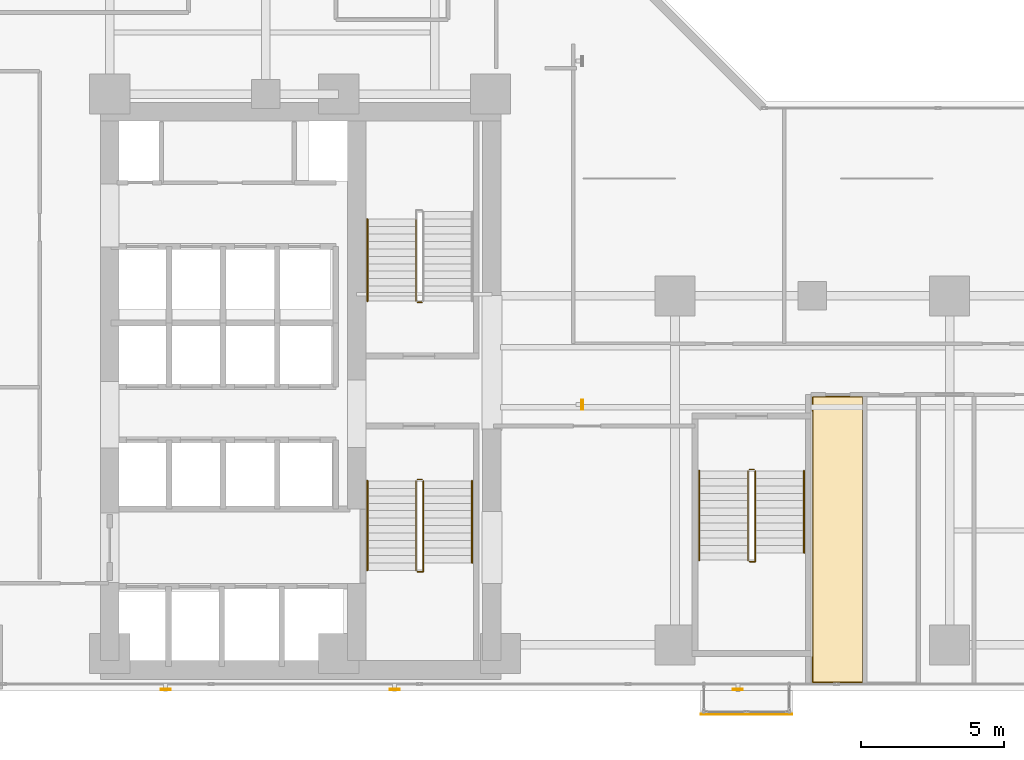
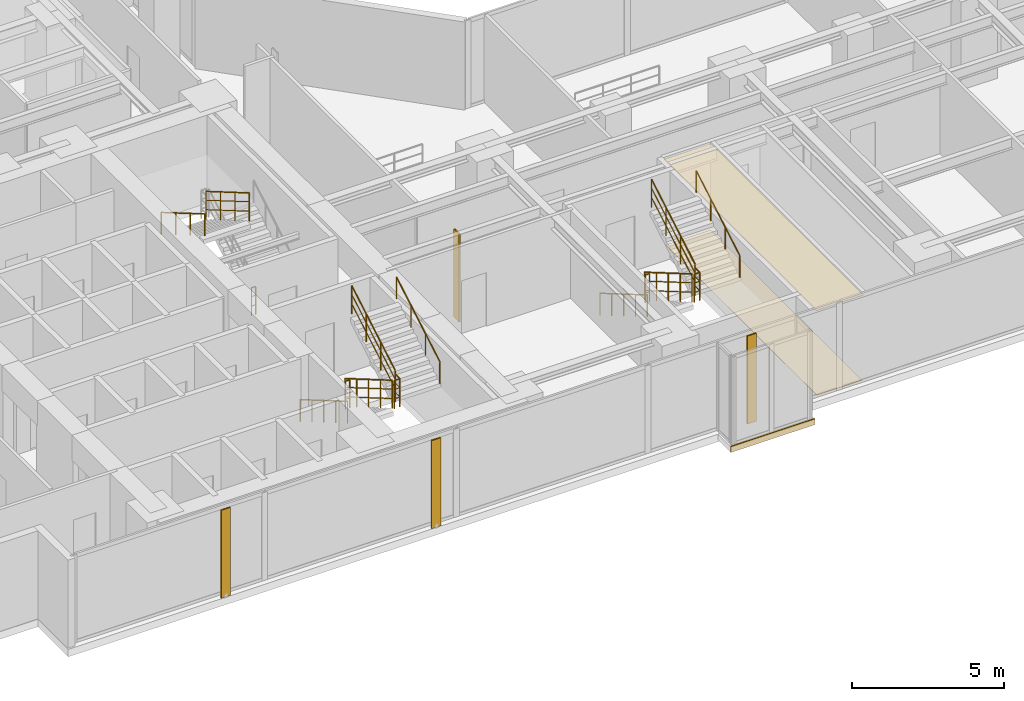
# One storey, part 23 of 26: 15 railings, 4 shading devices, 3 coverings.
"""IFC4 building model written with IfcOpenShell, lengths in metres."""

import ifcopenshell
import ifcopenshell.guid

model = None  # the IFC model being written
_history = None  # IfcOwnerHistory: only IFC2X3 demands one
_inside = {}  # id of a spatial element -> (the spatial element, [elements in it])
_under = {}  # id of a project, library or spatial element -> (it, [spatial elements below it])
_declared = {}  # id of a project -> (the project, [libraries it declares])
_typed = {}  # id of a type object -> (the type object, [elements of that type])
_made_of = {}  # id of a material, layer set ... -> (it, [elements and type objects made of it])


def new_model(schema):
    """Start an empty IFC model of exactly this schema.

    Asked for "IFC4X3", IfcOpenShell would pick the latest addendum, in which some entities
    have other attributes; the version numbers below select the first issue.
    IFC2X3 requires an IfcOwnerHistory on every rooted entity: one is made here for all.
    """
    global model, _history
    if schema == "IFC4X3":
        model = ifcopenshell.file(schema_version=(4, 3, 0, 0))
    else:
        model = ifcopenshell.file(schema=schema)
    _inside.clear()
    _under.clear()
    _declared.clear()
    _typed.clear()
    _made_of.clear()
    _history = None
    if model.schema == "IFC2X3":
        org = make("IfcOrganization", Name="unknown")
        user = make(
            "IfcPersonAndOrganization",
            ThePerson=make("IfcPerson", FamilyName="unknown"),
            TheOrganization=org,
        )
        app = make(
            "IfcApplication",
            ApplicationDeveloper=org,
            Version="unknown",
            ApplicationFullName="unknown",
            ApplicationIdentifier="unknown",
        )
        _history = make(
            "IfcOwnerHistory",
            OwningUser=user,
            OwningApplication=app,
            ChangeAction="ADDED",
            CreationDate=0,
        )
    return model


def make(cls, **values):
    """One entity of the class cls with the attributes given. An attribute that is None is left unset."""
    return model.create_entity(
        cls, **{name: value for name, value in values.items() if value is not None}
    )


def rooted(cls, **values):
    """An entity with a GlobalId (a new one), such as an element, a storey or a relation."""
    return make(cls, GlobalId=ifcopenshell.guid.new(), OwnerHistory=_history, **values)


def si_unit(unit_type, name, prefix=None):
    """IfcSIUnit, for example si_unit("LENGTHUNIT", "METRE", prefix="MILLI")."""
    return make("IfcSIUnit", UnitType=unit_type, Prefix=prefix, Name=name)


def assignment(units):
    """IfcUnitAssignment: the units of a project."""
    return None if units is None else make("IfcUnitAssignment", Units=units)


def point(xyz):
    """IfcCartesianPoint."""
    return None if xyz is None else make("IfcCartesianPoint", Coordinates=xyz)


def direction(xyz):
    """IfcDirection."""
    return None if xyz is None else make("IfcDirection", DirectionRatios=xyz)


def frame(location, z_axis=None, x_axis=None):
    """IfcAxis2Placement3D, a coordinate frame: its origin and axes. An axis left out is left unset."""
    return make(
        "IfcAxis2Placement3D",
        Location=point(location),
        Axis=direction(z_axis),
        RefDirection=direction(x_axis),
    )


def frame_2d(location, x_axis=None):
    """IfcAxis2Placement2D, a coordinate frame in the plane: its origin and x axis."""
    return make(
        "IfcAxis2Placement2D", Location=point(location), RefDirection=direction(x_axis)
    )


def origin():
    """The frame at (0, 0, 0) with its axes left unset."""
    return frame((0.0, 0.0, 0.0))


def origin_2d():
    """The frame at (0, 0) in the plane with its x axis left unset."""
    return frame_2d((0.0, 0.0))


def place(relative_to, where):
    """IfcLocalPlacement: puts the frame where relative to a parent placement (None: the world)."""
    return make(
        "IfcLocalPlacement", PlacementRelTo=relative_to, RelativePlacement=where
    )


def context(
    kind, dimensions, precision=None, world=None, true_north=None, identifier=None
):
    """IfcGeometricRepresentationContext, for example the 3D "Model" context."""
    return make(
        "IfcGeometricRepresentationContext",
        ContextIdentifier=identifier,
        ContextType=kind,
        CoordinateSpaceDimension=dimensions,
        Precision=precision,
        WorldCoordinateSystem=world,
        TrueNorth=true_north,
    )


def subcontext(parent, identifier, kind, view, scale=None):
    """IfcGeometricRepresentationSubContext, for example "Body" below "Model"."""
    return make(
        "IfcGeometricRepresentationSubContext",
        ContextIdentifier=identifier,
        ContextType=kind,
        ParentContext=parent,
        TargetScale=scale,
        TargetView=view,
    )


def project(units=None, contexts=None):
    """IfcProject with its units and contexts."""
    return rooted(
        "IfcProject",
        Name="project",
        RepresentationContexts=contexts,
        UnitsInContext=assignment(units),
    )


def spatial(cls, under=None, at=None, **own):
    """A site, building, storey or space (cls), placed at a placement, below another one or the project."""
    s = rooted(cls, ObjectPlacement=at, **own)
    if under is not None:
        _under.setdefault(under.id(), (under, []))[1].append(s)
    return s


def polyline(points):
    """IfcPolyline through the points."""
    return make("IfcPolyline", Points=[point(p) for p in points])


def profile(cls, at=None, kind="AREA", **sizes):
    """A parametric profile (cls). Its sizes go by their IFC names, for example OverallWidth=200.0."""
    return make(cls, ProfileType=kind, Position=at, **sizes)


def rectangle(**sizes):
    """IfcRectangleProfileDef."""
    return profile("IfcRectangleProfileDef", **sizes)


def hollow_rectangle(**sizes):
    """IfcRectangleHollowProfileDef."""
    return profile("IfcRectangleHollowProfileDef", **sizes)


def circle(**sizes):
    """IfcCircleProfileDef."""
    return profile("IfcCircleProfileDef", **sizes)


def outline(outer, holes=None, kind="AREA"):
    """IfcArbitraryClosedProfileDef: a profile drawn as a closed curve; with holes, ...WithVoids."""
    if holes is None:
        return make("IfcArbitraryClosedProfileDef", ProfileType=kind, OuterCurve=outer)
    return make(
        "IfcArbitraryProfileDefWithVoids",
        ProfileType=kind,
        OuterCurve=outer,
        InnerCurves=holes,
    )


def extrude(swept, where, along, depth):
    """IfcExtrudedAreaSolid: the profile swept, set in the frame where, extruded along a direction by depth."""
    return make(
        "IfcExtrudedAreaSolid",
        SweptArea=swept,
        Position=where,
        ExtrudedDirection=direction(along),
        Depth=depth,
    )


def shape(context_of_items, identifier, shape_type, items):
    """IfcShapeRepresentation: the items that make up one representation, for example the "Body"."""
    return make(
        "IfcShapeRepresentation",
        ContextOfItems=context_of_items,
        RepresentationIdentifier=identifier,
        RepresentationType=shape_type,
        Items=items,
    )


def material(Name=None, Category=None):
    """IfcMaterial."""
    return make("IfcMaterial", Name=Name, Category=Category)


def layer(
    of_material, thickness, ventilated=None, Name=None, Category=None, Priority=None
):
    """IfcMaterialLayer: one layer of a wall or slab, of a material (None: an air gap)."""
    return make(
        "IfcMaterialLayer",
        Material=of_material,
        LayerThickness=thickness,
        IsVentilated=ventilated,
        Name=Name,
        Category=Category,
        Priority=Priority,
    )


def layer_set(layers, Name=None):
    """IfcMaterialLayerSet."""
    return make("IfcMaterialLayerSet", MaterialLayers=layers, LayerSetName=Name)


def material_profile(
    of_material, cross_section, Name=None, Category=None, Priority=None
):
    """IfcMaterialProfile: a cross section and its material."""
    return make(
        "IfcMaterialProfile",
        Name=Name,
        Material=of_material,
        Profile=cross_section,
        Priority=Priority,
        Category=Category,
    )


def profile_set(profiles, Name=None, composite=None):
    """IfcMaterialProfileSet."""
    return make(
        "IfcMaterialProfileSet",
        Name=Name,
        MaterialProfiles=profiles,
        CompositeProfile=composite,
    )


def made_of(thing, what):
    """Note that an element or type object is made of a material, layer set ...; save() writes the relation."""
    if what is not None:
        _made_of.setdefault(what.id(), (what, []))[1].append(thing)
    return thing


def type_object(cls, material=None, **own):
    """A type object (cls), such as IfcWallType, which elements share."""
    return made_of(rooted(cls, **own), material)


def element(
    cls,
    number,
    at=None,
    inside=None,
    cuts=None,
    type_object=None,
    material=None,
    context=None,
    identifier="Body",
    shape_type=None,
    held_by="IfcProductDefinitionShape",
    body=None,
    shapes=None,
    **own,
):
    """One element of the class cls, such as IfcWall. Its Tag is "e" and its number.

    at: its placement. inside: the storey or other place that contains it. cuts: it is an
    opening in that element (IfcRelVoidsElement). A single representation is given by context,
    identifier, shape_type and body (its items); several are given by shapes. held_by: the class
    of the entity that holds the representations. save() writes the other relations.
    """
    e = rooted(cls, Tag="e%d" % number, ObjectPlacement=at, **own)
    if body is not None:
        shapes = [shape(context, identifier, shape_type, body)]
    if shapes is not None:
        e.Representation = make(held_by, Representations=shapes)
    if inside is not None:
        _inside.setdefault(inside.id(), (inside, []))[1].append(e)
    if cuts is not None:
        rooted(
            "IfcRelVoidsElement", RelatingBuildingElement=cuts, RelatedOpeningElement=e
        )
    if type_object is not None:
        _typed.setdefault(type_object.id(), (type_object, []))[1].append(e)
    return made_of(e, material)


def aggregate(whole, parts):
    """IfcRelAggregates: a whole, such as a stair, and the parts it consists of."""
    return rooted("IfcRelAggregates", RelatingObject=whole, RelatedObjects=parts)


def save(model, path):
    """Write the relations noted so far, then the file.

    IfcRelAggregates (storeys below a building ...), IfcRelContainedInSpatialStructure (elements
    in a storey), IfcRelDefinesByType, IfcRelAssociatesMaterial and IfcRelDeclares: one each for
    every whole, place, type object, material and project.
    """
    for whole, parts in _under.values():
        aggregate(whole, parts)
    for where, things in _inside.values():
        rooted(
            "IfcRelContainedInSpatialStructure",
            RelatedElements=things,
            RelatingStructure=where,
        )
    for kind, things in _typed.values():
        rooted("IfcRelDefinesByType", RelatedObjects=things, RelatingType=kind)
    for what, things in _made_of.values():
        rooted("IfcRelAssociatesMaterial", RelatedObjects=things, RelatingMaterial=what)
    for by, libraries in _declared.values():
        rooted("IfcRelDeclares", RelatingContext=by, RelatedDefinitions=libraries)
    model.write(path)


model = new_model("IFC4")

# Units and contexts
model_context = context("Model", 3, precision=1e-05, world=origin(), true_north=direction((0.0, 1.0)))
body_context = subcontext(model_context, "Body", "Model", "MODEL_VIEW")
ifc_project = project(units=[si_unit("LENGTHUNIT", "METRE"), si_unit("AREAUNIT", "SQUARE_METRE"), si_unit("VOLUMEUNIT", "CUBIC_METRE"), si_unit("PLANEANGLEUNIT", "RADIAN"), si_unit("MASSUNIT", "GRAM", prefix="KILO")], contexts=[model_context])

# Site, building, storey
site_placement = place(None, origin())
site = spatial("IfcSite", under=ifc_project, at=site_placement, CompositionType="ELEMENT")
building_placement = place(site_placement, origin())
building = spatial("IfcBuilding", under=site, at=building_placement, Name="Kolvaren Waterfront Exchange", CompositionType="ELEMENT")
storey_placement = place(building_placement, frame((0.0, 0.0, 110.699951171875)))
storey = spatial("IfcBuildingStorey", under=building, at=storey_placement, Name="L28", CompositionType="ELEMENT", Elevation=110.699951171875)

# Coverings
ifc_material_1 = material(Name="Mineral fibre acoustic ceiling tile")
ifc_layer_1 = layer(ifc_material_1, 0.02490234375, Name="Mineral fibre acoustic ceiling tile")
ifc_layer_set_1 = layer_set([ifc_layer_1], Name="Mineral fibre acoustic ceiling tile")
covering_type_1 = type_object("IfcCoveringType", Name="ARC-CEIL-ACOUSTIC-25", PredefinedType="CEILING", material=ifc_layer_set_1)
covering_1_placement = place(storey_placement, frame((0.0, 0.0, 3.425048828125)))
element("IfcCovering", 1, at=covering_1_placement, inside=storey, type_object=covering_type_1, Name="L28 acoustic suspended ceiling 2", PredefinedType="CEILING", context=body_context, shape_type="SweptSolid", body=[
    extrude(outline(polyline([(33.784912109375, 3.864990234375), (33.784912109375, 13.89501953125), (31.9951171875, 13.89501953125), (31.9951171875, 13.35009765625), (32.0, 13.35009765625), (32.0, 4.800048828125), (31.9951171875, 4.800048828125), (31.9951171875, 3.864990234375), (33.784912109375, 3.864990234375)])), origin(), (0.0, 0.0, 1.0), 0.02490234375),
])
ifc_material_2 = material(Name="Anodised bronze fascia aluminium", Category="aluminium")
ifc_layer_2 = layer(ifc_material_2, 0.034912109375, Name="Anodised bronze fascia aluminium")
ifc_layer_set_2 = layer_set([ifc_layer_2], Name="Anodised bronze fascia aluminium")
covering_type_2 = type_object("IfcCoveringType", Name="ARC-CLAD-BRONZE-35", PredefinedType="CLADDING", material=ifc_layer_set_2)
covering_2_placement = place(storey_placement, frame((29.699951171875, 2.77001953125, -0.2197265625), z_axis=(0.0, 0.0, 1.0), x_axis=(1.0, 0.0, 0.0)))
element("IfcCovering", 2, at=covering_2_placement, inside=storey, type_object=covering_type_2, Name="L28 ribbed anodised bronze bay-box fascia", PredefinedType="CLADDING", context=body_context, shape_type="SweptSolid", body=[
    extrude(rectangle(XDim=3.199951171875, YDim=0.034912109375, at=origin_2d()), origin(), (0.0, 0.0, 1.0), 0.239990234375),
])

# Shading devices
ifc_material_3 = material(Name="Anodised bronze aluminium 6063-T6", Category="aluminium")
ifc_material_profile = material_profile(ifc_material_3, hollow_rectangle(XDim=0.06005859375, YDim=0.35009765625, WallThickness=0.0048828125, at=origin_2d()), Name="BRZ-FIN-350x60x5")
ifc_profile_set = profile_set([ifc_material_profile], Name="Anodised bronze aluminium 6063-T6")
shading_device_type = type_object("IfcShadingDeviceType", Name="ARC-FIN-350", PredefinedType="USERDEFINED", material=ifc_profile_set)
for number, where, z_axis, x_axis, name in (
    (3, (9.39990234375, 3.639892578125, 0.0), (0.0, 0.0, 1.0), (0.0, -1.0, 0.0), "L28 anodised bronze solar shading fin FIN-L28-S1"),
    (4, (17.39990234375, 3.639892578125, 0.0), (0.0, 0.0, 1.0), (0.0, -1.0, 0.0), "L28 anodised bronze solar shading fin FIN-L28-S2"),
    (5, (29.39990234375, 3.639892578125, 0.0), (0.0, 0.0, 1.0), (0.0, -1.0, 0.0), "L28 anodised bronze solar shading fin FIN-L28-S3"),
    (6, (23.9599609375, 13.60009765625, 0.0), (0.0, 0.0, 1.0), (1.0, 0.0, 0.0), "L28 anodised bronze solar shading fin FIN-L28-E1"),
):
    element("IfcShadingDevice", number, at=place(storey_placement, frame(where, z_axis=z_axis, x_axis=x_axis)), inside=storey, type_object=shading_device_type, Name=name, ObjectType="SOLAR FIN", PredefinedType="USERDEFINED", context=body_context, shape_type="SweptSolid", body=[
        extrude(hollow_rectangle(XDim=0.06005859375, YDim=0.35009765625, WallThickness=0.0048828125, at=origin_2d()), origin(), (0.0, 0.0, 1.0), 3.5400390625),
    ])

# Covering
ifc_material_4 = material(Name="Slip-resistant porcelain tile")
ifc_layer_3 = layer(ifc_material_4, 0.014892578125, Name="Slip-resistant porcelain tile")
ifc_layer_set_3 = layer_set([ifc_layer_3], Name="Slip-resistant porcelain tile")
covering_type_3 = type_object("IfcCoveringType", Name="ARC-FLR-PORC-15", PredefinedType="FLOORING", material=ifc_layer_set_3)
covering_3_placement = place(storey_placement, origin())
element("IfcCovering", 7, at=covering_3_placement, inside=storey, type_object=covering_type_3, Name="L28 floor finish 2", PredefinedType="FLOORING", context=body_context, shape_type="SweptSolid", body=[
    extrude(outline(polyline([(32.030029296875, 13.860107421875), (32.030029296875, 3.89990234375), (33.75, 3.89990234375), (33.75, 13.860107421875), (32.030029296875, 13.860107421875)])), origin(), (0.0, 0.0, 1.0), 0.01513671875),
])

# Railings
ifc_material_5 = material(Name="Stainless steel 316", Category="steel")
railing_type_1 = type_object("IfcRailingType", Name="ARC-GUARD-STAIR", PredefinedType="GUARDRAIL", material=ifc_material_5)
railing_1_placement = place(storey_placement, frame((18.14990234375, 10.929931640625, 0.152099609375)))
element("IfcRailing", 8, at=railing_1_placement, inside=storey, type_object=railing_type_1, Name="L28 ST1 stair guard 1", PredefinedType="GUARDRAIL", context=body_context, shape_type="SweptSolid", body=[
    extrude(circle(Radius=0.02392578125, at=origin_2d()), frame((0.0, 0.0, 1.1259765625), z_axis=(0.0, -0.86329090724, 0.504706656858), x_axis=(1.0, 0.0, 0.0)), (0.0, 0.0, 1.0), 3.614013671875),
    extrude(circle(Radius=0.01611328125, at=origin_2d()), frame((0.0, 0.0, 0.390869140625), z_axis=(0.0, -0.86329090724, 0.504706656858), x_axis=(1.0, 0.0, 0.0)), (0.0, 0.0, 1.0), 3.614013671875),
    extrude(circle(Radius=0.01611328125, at=origin_2d()), frame((0.0, 0.0, 0.7705078125), z_axis=(0.0, -0.86329090724, 0.504706656858), x_axis=(1.0, 0.0, 0.0)), (0.0, 0.0, 1.0), 3.614013671875),
    extrude(circle(Radius=0.02099609375, at=origin_2d()), origin(), (0.0, 0.0, 1.0), 1.101806640625),
    extrude(circle(Radius=0.02099609375, at=origin_2d()), frame((0.0, -0.780029296875, 0.4560546875)), (0.0, 0.0, 1.0), 1.101806640625),
    extrude(circle(Radius=0.02099609375, at=origin_2d()), frame((0.0, -1.56005859375, 0.912109375)), (0.0, 0.0, 1.0), 1.101806640625),
    extrude(circle(Radius=0.02099609375, at=origin_2d()), frame((0.0, -2.33984375, 1.367919921875)), (0.0, 0.0, 1.0), 1.101806640625),
    extrude(circle(Radius=0.02099609375, at=origin_2d()), frame((0.0, -3.119873046875, 1.823974609375)), (0.0, 0.0, 1.0), 1.101806640625),
])
railing_2_placement = place(storey_placement, frame((18.199951171875, 7.760009765625, 1.97607421875)))
element("IfcRailing", 9, at=railing_2_placement, inside=storey, type_object=railing_type_1, Name="L28 ST1 stair guard 2", PredefinedType="GUARDRAIL", context=body_context, shape_type="SweptSolid", body=[
    extrude(circle(Radius=0.02392578125, at=origin_2d()), frame((0.0, 0.0, 1.1259765625), z_axis=(1.0, 0.0, 0.0), x_axis=(0.0, 1.0, 0.0)), (0.0, 0.0, 1.0), 0.2099609375),
    extrude(circle(Radius=0.01611328125, at=origin_2d()), frame((0.0, 0.0, 0.390869140625), z_axis=(1.0, 0.0, 0.0), x_axis=(0.0, 1.0, 0.0)), (0.0, 0.0, 1.0), 0.2099609375),
    extrude(circle(Radius=0.01611328125, at=origin_2d()), frame((0.0, 0.0, 0.7705078125), z_axis=(1.0, 0.0, 0.0), x_axis=(0.0, 1.0, 0.0)), (0.0, 0.0, 1.0), 0.2099609375),
    extrude(circle(Radius=0.02392578125, at=origin_2d()), frame((0.2099609375, 0.0, 1.1259765625), z_axis=(0.0, 1.0, 0.0), x_axis=(-1.0, 0.0, 0.0)), (0.0, 0.0, 1.0), 0.31005859375),
    extrude(circle(Radius=0.01611328125, at=origin_2d()), frame((0.2099609375, 0.0, 0.390869140625), z_axis=(0.0, 1.0, 0.0), x_axis=(-1.0, 0.0, 0.0)), (0.0, 0.0, 1.0), 0.31005859375),
    extrude(circle(Radius=0.01611328125, at=origin_2d()), frame((0.2099609375, 0.0, 0.7705078125), z_axis=(0.0, 1.0, 0.0), x_axis=(-1.0, 0.0, 0.0)), (0.0, 0.0, 1.0), 0.31005859375),
    extrude(circle(Radius=0.02099609375, at=origin_2d()), origin(), (0.0, 0.0, 1.0), 1.101806640625),
    extrude(circle(Radius=0.02099609375, at=origin_2d()), frame((0.2099609375, 0.0, 0.0)), (0.0, 0.0, 1.0), 1.101806640625),
    extrude(circle(Radius=0.02099609375, at=origin_2d()), frame((0.2099609375, 0.31005859375, 0.0)), (0.0, 0.0, 1.0), 1.101806640625),
])
railing_3_placement = place(storey_placement, frame((18.409912109375, 8.070068359375, 2.1279296875)))
element("IfcRailing", 10, at=railing_3_placement, inside=storey, type_object=railing_type_1, Name="L28 ST1 stair guard 3", PredefinedType="GUARDRAIL", context=body_context, shape_type="SweptSolid", body=[
    extrude(circle(Radius=0.02392578125, at=origin_2d()), frame((0.0, 0.0, 1.1259765625), z_axis=(0.0, 0.863270611444, 0.50474137082), x_axis=(-1.0, 0.0, 0.0)), (0.0, 0.0, 1.0), 3.312744140625),
    extrude(circle(Radius=0.01611328125, at=origin_2d()), frame((0.0, 0.0, 0.390869140625), z_axis=(0.0, 0.863270611444, 0.50474137082), x_axis=(-1.0, 0.0, 0.0)), (0.0, 0.0, 1.0), 3.312744140625),
    extrude(circle(Radius=0.01611328125, at=origin_2d()), frame((0.0, 0.0, 0.7705078125), z_axis=(0.0, 0.863270611444, 0.50474137082), x_axis=(-1.0, 0.0, 0.0)), (0.0, 0.0, 1.0), 3.312744140625),
    extrude(circle(Radius=0.02099609375, at=origin_2d()), origin(), (0.0, 0.0, 1.0), 1.101806640625),
    extrude(circle(Radius=0.02099609375, at=origin_2d()), frame((0.0, 0.953369140625, 0.557373046875)), (0.0, 0.0, 1.0), 1.101806640625),
    extrude(circle(Radius=0.02099609375, at=origin_2d()), frame((0.0, 1.906494140625, 1.11474609375)), (0.0, 0.0, 1.0), 1.101806640625),
    extrude(circle(Radius=0.02099609375, at=origin_2d()), frame((0.0, 2.85986328125, 1.672119140625)), (0.0, 0.0, 1.0), 1.101806640625),
])
railing_4_placement = place(storey_placement, frame((18.199951171875, 10.97998046875, 0.0)))
element("IfcRailing", 11, at=railing_4_placement, inside=storey, type_object=railing_type_1, Name="L28 ST1 stair guard 4", PredefinedType="GUARDRAIL", context=body_context, shape_type="SweptSolid", body=[
    extrude(circle(Radius=0.02392578125, at=origin_2d()), frame((0.0, 0.0, 1.1259765625), z_axis=(1.0, 0.0, 0.0), x_axis=(0.0, 1.0, 0.0)), (0.0, 0.0, 1.0), 0.16015625),
    extrude(circle(Radius=0.01611328125, at=origin_2d()), frame((0.0, 0.0, 0.390869140625), z_axis=(1.0, 0.0, 0.0), x_axis=(0.0, 1.0, 0.0)), (0.0, 0.0, 1.0), 0.16015625),
    extrude(circle(Radius=0.01611328125, at=origin_2d()), frame((0.0, 0.0, 0.7705078125), z_axis=(1.0, 0.0, 0.0), x_axis=(0.0, 1.0, 0.0)), (0.0, 0.0, 1.0), 0.16015625),
    extrude(circle(Radius=0.02099609375, at=origin_2d()), origin(), (0.0, 0.0, 1.0), 1.101806640625),
    extrude(circle(Radius=0.02099609375, at=origin_2d()), frame((0.16015625, 0.0, 0.0)), (0.0, 0.0, 1.0), 1.101806640625),
])
railing_5_placement = place(storey_placement, frame((18.14990234375, 20.080078125, 2.1279296875)))
element("IfcRailing", 12, at=railing_5_placement, inside=storey, type_object=railing_type_1, Name="L28 ST2 stair guard 3", PredefinedType="GUARDRAIL", context=body_context, shape_type="SweptSolid", body=[
    extrude(circle(Radius=0.02392578125, at=origin_2d()), frame((0.0, 0.0, 1.1259765625), z_axis=(0.0, -0.863289384635, 0.504709261235), x_axis=(1.0, 0.0, 0.0)), (0.0, 0.0, 1.0), 3.31298828125),
    extrude(circle(Radius=0.01611328125, at=origin_2d()), frame((0.0, 0.0, 0.390869140625), z_axis=(0.0, -0.863289384635, 0.504709261235), x_axis=(1.0, 0.0, 0.0)), (0.0, 0.0, 1.0), 3.31298828125),
    extrude(circle(Radius=0.01611328125, at=origin_2d()), frame((0.0, 0.0, 0.7705078125), z_axis=(0.0, -0.863289384635, 0.504709261235), x_axis=(1.0, 0.0, 0.0)), (0.0, 0.0, 1.0), 3.31298828125),
    extrude(circle(Radius=0.02099609375, at=origin_2d()), origin(), (0.0, 0.0, 1.0), 1.101806640625),
    extrude(circle(Radius=0.02099609375, at=origin_2d()), frame((0.0, -0.953369140625, 0.557373046875)), (0.0, 0.0, 1.0), 1.101806640625),
    extrude(circle(Radius=0.02099609375, at=origin_2d()), frame((0.0, -1.90673828125, 1.11474609375)), (0.0, 0.0, 1.0), 1.101806640625),
    extrude(circle(Radius=0.02099609375, at=origin_2d()), frame((0.0, -2.860107421875, 1.672119140625)), (0.0, 0.0, 1.0), 1.101806640625),
])
railing_6_placement = place(storey_placement, frame((18.360107421875, 17.169921875, 0.0)))
element("IfcRailing", 13, at=railing_6_placement, inside=storey, type_object=railing_type_1, Name="L28 ST2 stair guard 4", PredefinedType="GUARDRAIL", context=body_context, shape_type="SweptSolid", body=[
    extrude(circle(Radius=0.02392578125, at=origin_2d()), frame((0.0, 0.0, 1.1259765625), z_axis=(-1.0, 0.0, 0.0), x_axis=(0.0, -1.0, 0.0)), (0.0, 0.0, 1.0), 0.16015625),
    extrude(circle(Radius=0.01611328125, at=origin_2d()), frame((0.0, 0.0, 0.390869140625), z_axis=(-1.0, 0.0, 0.0), x_axis=(0.0, -1.0, 0.0)), (0.0, 0.0, 1.0), 0.16015625),
    extrude(circle(Radius=0.01611328125, at=origin_2d()), frame((0.0, 0.0, 0.7705078125), z_axis=(-1.0, 0.0, 0.0), x_axis=(0.0, -1.0, 0.0)), (0.0, 0.0, 1.0), 0.16015625),
    extrude(circle(Radius=0.02099609375, at=origin_2d()), origin(), (0.0, 0.0, 1.0), 1.101806640625),
    extrude(circle(Radius=0.02099609375, at=origin_2d()), frame((-0.16015625, 0.0, 0.0)), (0.0, 0.0, 1.0), 1.101806640625),
])
railing_7_placement = place(storey_placement, frame((29.75, 11.280029296875, 0.152099609375)))
element("IfcRailing", 14, at=railing_7_placement, inside=storey, type_object=railing_type_1, Name="L28 ST3 stair guard 1", PredefinedType="GUARDRAIL", context=body_context, shape_type="SweptSolid", body=[
    extrude(circle(Radius=0.02392578125, at=origin_2d()), frame((0.0, 0.0, 1.1259765625), z_axis=(0.0, -0.86330811405, 0.504677223793), x_axis=(1.0, 0.0, 0.0)), (0.0, 0.0, 1.0), 3.6142578125),
    extrude(circle(Radius=0.01611328125, at=origin_2d()), frame((0.0, 0.0, 0.390869140625), z_axis=(0.0, -0.86330811405, 0.504677223793), x_axis=(1.0, 0.0, 0.0)), (0.0, 0.0, 1.0), 3.6142578125),
    extrude(circle(Radius=0.01611328125, at=origin_2d()), frame((0.0, 0.0, 0.7705078125), z_axis=(0.0, -0.86330811405, 0.504677223793), x_axis=(1.0, 0.0, 0.0)), (0.0, 0.0, 1.0), 3.6142578125),
    extrude(circle(Radius=0.02099609375, at=origin_2d()), origin(), (0.0, 0.0, 1.0), 1.101806640625),
    extrude(circle(Radius=0.02099609375, at=origin_2d()), frame((0.0, -0.780029296875, 0.4560546875)), (0.0, 0.0, 1.0), 1.101806640625),
    extrude(circle(Radius=0.02099609375, at=origin_2d()), frame((0.0, -1.56005859375, 0.912109375)), (0.0, 0.0, 1.0), 1.101806640625),
    extrude(circle(Radius=0.02099609375, at=origin_2d()), frame((0.0, -2.340087890625, 1.367919921875)), (0.0, 0.0, 1.0), 1.101806640625),
    extrude(circle(Radius=0.02099609375, at=origin_2d()), frame((0.0, -3.1201171875, 1.823974609375)), (0.0, 0.0, 1.0), 1.101806640625),
])
railing_8_placement = place(storey_placement, frame((29.800048828125, 8.110107421875, 1.97607421875)))
element("IfcRailing", 15, at=railing_8_placement, inside=storey, type_object=railing_type_1, Name="L28 ST3 stair guard 2", PredefinedType="GUARDRAIL", context=body_context, shape_type="SweptSolid", body=[
    extrude(circle(Radius=0.02392578125, at=origin_2d()), frame((0.0, 0.0, 1.1259765625), z_axis=(1.0, 0.0, 0.0), x_axis=(0.0, 1.0, 0.0)), (0.0, 0.0, 1.0), 0.2099609375),
    extrude(circle(Radius=0.01611328125, at=origin_2d()), frame((0.0, 0.0, 0.390869140625), z_axis=(1.0, 0.0, 0.0), x_axis=(0.0, 1.0, 0.0)), (0.0, 0.0, 1.0), 0.2099609375),
    extrude(circle(Radius=0.01611328125, at=origin_2d()), frame((0.0, 0.0, 0.7705078125), z_axis=(1.0, 0.0, 0.0), x_axis=(0.0, 1.0, 0.0)), (0.0, 0.0, 1.0), 0.2099609375),
    extrude(circle(Radius=0.02392578125, at=origin_2d()), frame((0.2099609375, 0.0, 1.1259765625), z_axis=(0.0, 1.0, 0.0), x_axis=(-1.0, 0.0, 0.0)), (0.0, 0.0, 1.0), 0.309814453125),
    extrude(circle(Radius=0.01611328125, at=origin_2d()), frame((0.2099609375, 0.0, 0.390869140625), z_axis=(0.0, 1.0, 0.0), x_axis=(-1.0, 0.0, 0.0)), (0.0, 0.0, 1.0), 0.309814453125),
    extrude(circle(Radius=0.01611328125, at=origin_2d()), frame((0.2099609375, 0.0, 0.7705078125), z_axis=(0.0, 1.0, 0.0), x_axis=(-1.0, 0.0, 0.0)), (0.0, 0.0, 1.0), 0.309814453125),
    extrude(circle(Radius=0.02099609375, at=origin_2d()), origin(), (0.0, 0.0, 1.0), 1.101806640625),
    extrude(circle(Radius=0.02099609375, at=origin_2d()), frame((0.2099609375, 0.0, 0.0)), (0.0, 0.0, 1.0), 1.101806640625),
    extrude(circle(Radius=0.02099609375, at=origin_2d()), frame((0.2099609375, 0.309814453125, 0.0)), (0.0, 0.0, 1.0), 1.101806640625),
])
railing_9_placement = place(storey_placement, frame((30.010009765625, 8.419921875, 2.1279296875)))
element("IfcRailing", 16, at=railing_9_placement, inside=storey, type_object=railing_type_1, Name="L28 ST3 stair guard 3", PredefinedType="GUARDRAIL", context=body_context, shape_type="SweptSolid", body=[
    extrude(circle(Radius=0.02392578125, at=origin_2d()), frame((0.0, 0.0, 1.1259765625), z_axis=(0.0, 0.863289384635, 0.504709261235), x_axis=(-1.0, 0.0, 0.0)), (0.0, 0.0, 1.0), 3.31298828125),
    extrude(circle(Radius=0.01611328125, at=origin_2d()), frame((0.0, 0.0, 0.390869140625), z_axis=(0.0, 0.863289384635, 0.504709261235), x_axis=(-1.0, 0.0, 0.0)), (0.0, 0.0, 1.0), 3.31298828125),
    extrude(circle(Radius=0.01611328125, at=origin_2d()), frame((0.0, 0.0, 0.7705078125), z_axis=(0.0, 0.863289384635, 0.504709261235), x_axis=(-1.0, 0.0, 0.0)), (0.0, 0.0, 1.0), 3.31298828125),
    extrude(circle(Radius=0.02099609375, at=origin_2d()), origin(), (0.0, 0.0, 1.0), 1.101806640625),
    extrude(circle(Radius=0.02099609375, at=origin_2d()), frame((0.0, 0.953369140625, 0.557373046875)), (0.0, 0.0, 1.0), 1.101806640625),
    extrude(circle(Radius=0.02099609375, at=origin_2d()), frame((0.0, 1.90673828125, 1.11474609375)), (0.0, 0.0, 1.0), 1.101806640625),
    extrude(circle(Radius=0.02099609375, at=origin_2d()), frame((0.0, 2.860107421875, 1.672119140625)), (0.0, 0.0, 1.0), 1.101806640625),
])
railing_10_placement = place(storey_placement, frame((29.800048828125, 11.330078125, 0.0)))
element("IfcRailing", 17, at=railing_10_placement, inside=storey, type_object=railing_type_1, Name="L28 ST3 stair guard 4", PredefinedType="GUARDRAIL", context=body_context, shape_type="SweptSolid", body=[
    extrude(circle(Radius=0.02392578125, at=origin_2d()), frame((0.0, 0.0, 1.1259765625), z_axis=(1.0, 0.0, 0.0), x_axis=(0.0, 1.0, 0.0)), (0.0, 0.0, 1.0), 0.159912109375),
    extrude(circle(Radius=0.01611328125, at=origin_2d()), frame((0.0, 0.0, 0.390869140625), z_axis=(1.0, 0.0, 0.0), x_axis=(0.0, 1.0, 0.0)), (0.0, 0.0, 1.0), 0.159912109375),
    extrude(circle(Radius=0.01611328125, at=origin_2d()), frame((0.0, 0.0, 0.7705078125), z_axis=(1.0, 0.0, 0.0), x_axis=(0.0, 1.0, 0.0)), (0.0, 0.0, 1.0), 0.159912109375),
    extrude(circle(Radius=0.02099609375, at=origin_2d()), origin(), (0.0, 0.0, 1.0), 1.101806640625),
    extrude(circle(Radius=0.02099609375, at=origin_2d()), frame((0.159912109375, 0.0, 0.0)), (0.0, 0.0, 1.0), 1.101806640625),
])
railing_type_2 = type_object("IfcRailingType", Name="ARC-HANDRAIL-900", PredefinedType="HANDRAIL", material=ifc_material_5)
railing_11_placement = place(storey_placement, frame((16.449951171875, 10.929931640625, 0.152099609375)))
element("IfcRailing", 18, at=railing_11_placement, inside=storey, type_object=railing_type_2, Name="L28 ST1 stair handrail 1", PredefinedType="HANDRAIL", context=body_context, shape_type="SweptSolid", body=[
    extrude(circle(Radius=0.02392578125, at=origin_2d()), frame((0.0, 0.0, 0.8759765625), z_axis=(0.0, -0.86329090724, 0.504706656858), x_axis=(1.0, 0.0, 0.0)), (0.0, 0.0, 1.0), 3.614013671875),
    extrude(circle(Radius=0.02099609375, at=origin_2d()), origin(), (0.0, 0.0, 1.0), 0.851806640625),
    extrude(circle(Radius=0.02099609375, at=origin_2d()), frame((0.0, -0.780029296875, 0.4560546875)), (0.0, 0.0, 1.0), 0.851806640625),
    extrude(circle(Radius=0.02099609375, at=origin_2d()), frame((0.0, -1.56005859375, 0.912109375)), (0.0, 0.0, 1.0), 0.851806640625),
    extrude(circle(Radius=0.02099609375, at=origin_2d()), frame((0.0, -2.33984375, 1.367919921875)), (0.0, 0.0, 1.0), 0.851806640625),
    extrude(circle(Radius=0.02099609375, at=origin_2d()), frame((0.0, -3.119873046875, 1.823974609375)), (0.0, 0.0, 1.0), 0.851806640625),
])
railing_12_placement = place(storey_placement, frame((20.110107421875, 8.070068359375, 2.1279296875)))
element("IfcRailing", 19, at=railing_12_placement, inside=storey, type_object=railing_type_2, Name="L28 ST1 stair handrail 2", PredefinedType="HANDRAIL", context=body_context, shape_type="SweptSolid", body=[
    extrude(circle(Radius=0.02392578125, at=origin_2d()), frame((0.0, 0.0, 0.8759765625), z_axis=(0.0, 0.863270611444, 0.50474137082), x_axis=(-1.0, 0.0, 0.0)), (0.0, 0.0, 1.0), 3.312744140625),
    extrude(circle(Radius=0.02099609375, at=origin_2d()), origin(), (0.0, 0.0, 1.0), 0.851806640625),
    extrude(circle(Radius=0.02099609375, at=origin_2d()), frame((0.0, 0.953369140625, 0.557373046875)), (0.0, 0.0, 1.0), 0.851806640625),
    extrude(circle(Radius=0.02099609375, at=origin_2d()), frame((0.0, 1.906494140625, 1.11474609375)), (0.0, 0.0, 1.0), 0.851806640625),
    extrude(circle(Radius=0.02099609375, at=origin_2d()), frame((0.0, 2.85986328125, 1.672119140625)), (0.0, 0.0, 1.0), 0.851806640625),
])
railing_13_placement = place(storey_placement, frame((16.449951171875, 20.080078125, 2.1279296875)))
element("IfcRailing", 20, at=railing_13_placement, inside=storey, type_object=railing_type_2, Name="L28 ST2 stair handrail 2", PredefinedType="HANDRAIL", context=body_context, shape_type="SweptSolid", body=[
    extrude(circle(Radius=0.02392578125, at=origin_2d()), frame((0.0, 0.0, 0.8759765625), z_axis=(0.0, -0.863289384635, 0.504709261235), x_axis=(1.0, 0.0, 0.0)), (0.0, 0.0, 1.0), 3.31298828125),
    extrude(circle(Radius=0.02099609375, at=origin_2d()), origin(), (0.0, 0.0, 1.0), 0.851806640625),
    extrude(circle(Radius=0.02099609375, at=origin_2d()), frame((0.0, -0.953369140625, 0.557373046875)), (0.0, 0.0, 1.0), 0.851806640625),
    extrude(circle(Radius=0.02099609375, at=origin_2d()), frame((0.0, -1.90673828125, 1.11474609375)), (0.0, 0.0, 1.0), 0.851806640625),
    extrude(circle(Radius=0.02099609375, at=origin_2d()), frame((0.0, -2.860107421875, 1.672119140625)), (0.0, 0.0, 1.0), 0.851806640625),
])
railing_14_placement = place(storey_placement, frame((28.050048828125, 11.280029296875, 0.152099609375)))
element("IfcRailing", 21, at=railing_14_placement, inside=storey, type_object=railing_type_2, Name="L28 ST3 stair handrail 1", PredefinedType="HANDRAIL", context=body_context, shape_type="SweptSolid", body=[
    extrude(circle(Radius=0.02392578125, at=origin_2d()), frame((0.0, 0.0, 0.8759765625), z_axis=(0.0, -0.86330811405, 0.504677223793), x_axis=(1.0, 0.0, 0.0)), (0.0, 0.0, 1.0), 3.6142578125),
    extrude(circle(Radius=0.02099609375, at=origin_2d()), origin(), (0.0, 0.0, 1.0), 0.851806640625),
    extrude(circle(Radius=0.02099609375, at=origin_2d()), frame((0.0, -0.780029296875, 0.4560546875)), (0.0, 0.0, 1.0), 0.851806640625),
    extrude(circle(Radius=0.02099609375, at=origin_2d()), frame((0.0, -1.56005859375, 0.912109375)), (0.0, 0.0, 1.0), 0.851806640625),
    extrude(circle(Radius=0.02099609375, at=origin_2d()), frame((0.0, -2.340087890625, 1.367919921875)), (0.0, 0.0, 1.0), 0.851806640625),
    extrude(circle(Radius=0.02099609375, at=origin_2d()), frame((0.0, -3.1201171875, 1.823974609375)), (0.0, 0.0, 1.0), 0.851806640625),
])
railing_15_placement = place(storey_placement, frame((31.7099609375, 8.419921875, 2.1279296875)))
element("IfcRailing", 22, at=railing_15_placement, inside=storey, type_object=railing_type_2, Name="L28 ST3 stair handrail 2", PredefinedType="HANDRAIL", context=body_context, shape_type="SweptSolid", body=[
    extrude(circle(Radius=0.02392578125, at=origin_2d()), frame((0.0, 0.0, 0.8759765625), z_axis=(0.0, 0.863289384635, 0.504709261235), x_axis=(-1.0, 0.0, 0.0)), (0.0, 0.0, 1.0), 3.31298828125),
    extrude(circle(Radius=0.02099609375, at=origin_2d()), origin(), (0.0, 0.0, 1.0), 0.851806640625),
    extrude(circle(Radius=0.02099609375, at=origin_2d()), frame((0.0, 0.953369140625, 0.557373046875)), (0.0, 0.0, 1.0), 0.851806640625),
    extrude(circle(Radius=0.02099609375, at=origin_2d()), frame((0.0, 1.90673828125, 1.11474609375)), (0.0, 0.0, 1.0), 0.851806640625),
    extrude(circle(Radius=0.02099609375, at=origin_2d()), frame((0.0, 2.860107421875, 1.672119140625)), (0.0, 0.0, 1.0), 0.851806640625),
])

save(model, "model.ifc")
